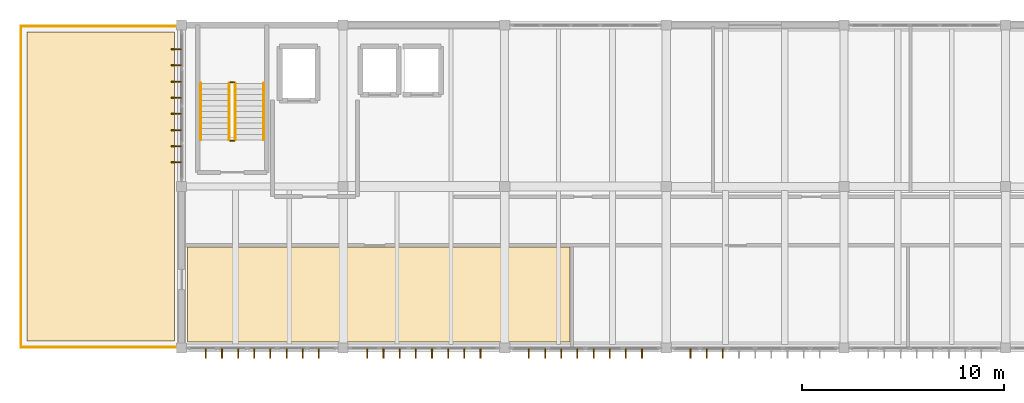
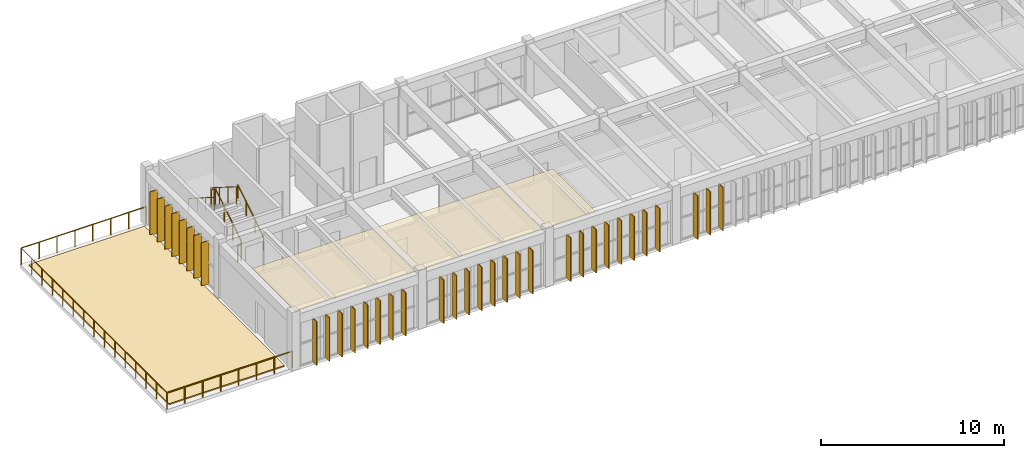
# One storey, part 11 of 12: 35 shading devices, 9 railings, 2 coverings.
"""IFC4 building model written with IfcOpenShell, lengths in metres."""

from ifc_helpers import new_model, si_unit, direction, frame, origin, origin_2d, place, context, subcontext, project, spatial, polyline, rectangle, circle, outline, extrude, material, layer, layer_set, type_object, element, save


model = new_model("IFC4")

# Units and contexts
model_context = context("Model", 3, precision=1e-05, world=origin(), true_north=direction((0.0, 1.0)))
body_context = subcontext(model_context, "Body", "Model", "MODEL_VIEW")
ifc_project = project(units=[si_unit("LENGTHUNIT", "METRE"), si_unit("AREAUNIT", "SQUARE_METRE"), si_unit("VOLUMEUNIT", "CUBIC_METRE"), si_unit("PLANEANGLEUNIT", "RADIAN"), si_unit("MASSUNIT", "GRAM", prefix="KILO")], contexts=[model_context])

# Site, building, storey
site_placement = place(None, origin())
site = spatial("IfcSite", under=ifc_project, at=site_placement, CompositionType="ELEMENT")
building_placement = place(site_placement, origin())
building = spatial("IfcBuilding", under=site, at=building_placement, Name="Tlaxcora Railside Police Headquarters", CompositionType="ELEMENT")
storey_placement = place(building_placement, frame((0.0, 0.0, 29.699951171875)))
storey = spatial("IfcBuildingStorey", under=building, at=storey_placement, Name="L07", CompositionType="ELEMENT", Elevation=29.699951171875)

# Coverings
ifc_material_1 = material(Name="Mineral-fibre acoustic ceiling tile")
ifc_layer_1 = layer(ifc_material_1, 0.034912109375, Name="Mineral-fibre acoustic ceiling tile")
ifc_layer_set_1 = layer_set([ifc_layer_1], Name="Mineral-fibre acoustic ceiling tile")
covering_type_1 = type_object("IfcCoveringType", Name="Acoustic Suspended Ceiling CLG-01", PredefinedType="CEILING", material=ifc_layer_set_1)
covering_1_placement = place(storey_placement, frame((0.0, 0.0, 3.465087890625)))
element("IfcCovering", 1, at=covering_1_placement, inside=storey, type_object=covering_type_1, Name="Chief Commissioner and Executive Directorate suspended ceiling", PredefinedType="CEILING", context=body_context, shape_type="SweptSolid", body=[
    extrude(outline(polyline([(21.5, 81.800048828125), (21.5, 77.10009765625), (40.44189453125, 77.10009765625), (40.44189453125, 81.800048828125), (21.5, 81.800048828125)])), origin(), (0.0, 0.0, 1.0), 0.034912109375),
])
ifc_material_2 = material(Name="Modified EPDM waterproofing and volcanic-ash protection membrane")
ifc_layer_2 = layer(ifc_material_2, 0.080078125, Name="Modified EPDM waterproofing and volcanic-ash protection membrane")
ifc_layer_set_2 = layer_set([ifc_layer_2], Name="Modified EPDM waterproofing and volcanic-ash protection membrane")
covering_type_2 = type_object("IfcCoveringType", Name="Planted Roof Garden Waterproofing RF-01", PredefinedType="ROOFING", material=ifc_layer_set_2)
covering_2_placement = place(storey_placement, origin())
element("IfcCovering", 2, at=covering_2_placement, inside=storey, type_object=covering_type_2, Name="TERR-V5-L07-W planted waterproofing layer", PredefinedType="ROOFING", context=body_context, shape_type="SweptSolid", body=[
    extrude(outline(polyline([(20.85009765625, 77.14990234375), (20.85009765625, 92.449951171875), (13.550048828125, 92.449951171875), (13.550048828125, 77.14990234375), (20.85009765625, 77.14990234375)])), origin(), (0.0, 0.0, 1.0), 0.080078125),
])

# Shading devices
ifc_material_3 = material(Name="Anodised aluminium framing", Category="aluminium")
ifc_layer_3 = layer(ifc_material_3, 0.054931640625, Name="Anodised aluminium framing")
ifc_layer_set_3 = layer_set([ifc_layer_3], Name="Anodised aluminium framing")
shading_device_type = type_object("IfcShadingDeviceType", Name="Solar Control Fin SF-01", PredefinedType="JALOUSIE", material=ifc_layer_set_3)
for number, where, z_axis, x_axis, name in (
    (3, (22.39990234375, 76.5400390625, 0.0400390625), (0.0, 0.0, 1.0), (0.0, -1.0, 0.0), "Vertical solar fin 695"),
    (4, (23.199951171875, 76.5400390625, 0.0400390625), (0.0, 0.0, 1.0), (0.0, -1.0, 0.0), "Vertical solar fin 696"),
    (5, (24.0, 76.5400390625, 0.0400390625), (0.0, 0.0, 1.0), (0.0, -1.0, 0.0), "Vertical solar fin 697"),
    (6, (24.800048828125, 76.5400390625, 0.0400390625), (0.0, 0.0, 1.0), (0.0, -1.0, 0.0), "Vertical solar fin 698"),
    (7, (25.60009765625, 76.5400390625, 0.0400390625), (0.0, 0.0, 1.0), (0.0, -1.0, 0.0), "Vertical solar fin 699"),
    (8, (26.39990234375, 76.5400390625, 0.0400390625), (0.0, 0.0, 1.0), (0.0, -1.0, 0.0), "Vertical solar fin 700"),
    (9, (27.199951171875, 76.5400390625, 0.0400390625), (0.0, 0.0, 1.0), (0.0, -1.0, 0.0), "Vertical solar fin 701"),
    (10, (28.0, 76.5400390625, 0.0400390625), (0.0, 0.0, 1.0), (0.0, -1.0, 0.0), "Vertical solar fin 702"),
    (11, (30.39990234375, 76.5400390625, 0.0400390625), (0.0, 0.0, 1.0), (0.0, -1.0, 0.0), "Vertical solar fin 703"),
    (12, (31.199951171875, 76.5400390625, 0.0400390625), (0.0, 0.0, 1.0), (0.0, -1.0, 0.0), "Vertical solar fin 704"),
    (13, (32.0, 76.5400390625, 0.0400390625), (0.0, 0.0, 1.0), (0.0, -1.0, 0.0), "Vertical solar fin 705"),
    (14, (32.800048828125, 76.5400390625, 0.0400390625), (0.0, 0.0, 1.0), (0.0, -1.0, 0.0), "Vertical solar fin 706"),
    (15, (33.60009765625, 76.5400390625, 0.0400390625), (0.0, 0.0, 1.0), (0.0, -1.0, 0.0), "Vertical solar fin 707"),
    (16, (34.39990234375, 76.5400390625, 0.0400390625), (0.0, 0.0, 1.0), (0.0, -1.0, 0.0), "Vertical solar fin 708"),
    (17, (35.199951171875, 76.5400390625, 0.0400390625), (0.0, 0.0, 1.0), (0.0, -1.0, 0.0), "Vertical solar fin 709"),
    (18, (36.0, 76.5400390625, 0.0400390625), (0.0, 0.0, 1.0), (0.0, -1.0, 0.0), "Vertical solar fin 710"),
    (19, (38.39990234375, 76.5400390625, 0.0400390625), (0.0, 0.0, 1.0), (0.0, -1.0, 0.0), "Vertical solar fin 711"),
    (20, (39.199951171875, 76.5400390625, 0.0400390625), (0.0, 0.0, 1.0), (0.0, -1.0, 0.0), "Vertical solar fin 712"),
    (21, (40.0, 76.5400390625, 0.0400390625), (0.0, 0.0, 1.0), (0.0, -1.0, 0.0), "Vertical solar fin 713"),
    (22, (40.800048828125, 76.5400390625, 0.0400390625), (0.0, 0.0, 1.0), (0.0, -1.0, 0.0), "Vertical solar fin 714"),
    (23, (41.60009765625, 76.5400390625, 0.0400390625), (0.0, 0.0, 1.0), (0.0, -1.0, 0.0), "Vertical solar fin 715"),
    (24, (42.39990234375, 76.5400390625, 0.0400390625), (0.0, 0.0, 1.0), (0.0, -1.0, 0.0), "Vertical solar fin 716"),
    (25, (43.199951171875, 76.5400390625, 0.0400390625), (0.0, 0.0, 1.0), (0.0, -1.0, 0.0), "Vertical solar fin 717"),
    (26, (44.0, 76.5400390625, 0.0400390625), (0.0, 0.0, 1.0), (0.0, -1.0, 0.0), "Vertical solar fin 718"),
    (27, (46.39990234375, 76.5400390625, 0.0400390625), (0.0, 0.0, 1.0), (0.0, -1.0, 0.0), "Vertical solar fin 719"),
    (28, (47.199951171875, 76.5400390625, 0.0400390625), (0.0, 0.0, 1.0), (0.0, -1.0, 0.0), "Vertical solar fin 720"),
    (29, (48.0, 76.5400390625, 0.0400390625), (0.0, 0.0, 1.0), (0.0, -1.0, 0.0), "Vertical solar fin 721"),
    (30, (20.93994140625, 91.60009765625, 0.0400390625), (0.0, 0.0, 1.0), (-1.0, 0.0, 0.0), "Vertical solar fin 760"),
    (31, (20.93994140625, 90.800048828125, 0.0400390625), (0.0, 0.0, 1.0), (-1.0, 0.0, 0.0), "Vertical solar fin 761"),
    (32, (20.93994140625, 90.0, 0.0400390625), (0.0, 0.0, 1.0), (-1.0, 0.0, 0.0), "Vertical solar fin 762"),
    (33, (20.93994140625, 89.199951171875, 0.0400390625), (0.0, 0.0, 1.0), (-1.0, 0.0, 0.0), "Vertical solar fin 763"),
    (34, (20.93994140625, 88.39990234375, 0.0400390625), (0.0, 0.0, 1.0), (-1.0, 0.0, 0.0), "Vertical solar fin 764"),
    (35, (20.93994140625, 87.60009765625, 0.0400390625), (0.0, 0.0, 1.0), (-1.0, 0.0, 0.0), "Vertical solar fin 765"),
    (36, (20.93994140625, 86.800048828125, 0.0400390625), (0.0, 0.0, 1.0), (-1.0, 0.0, 0.0), "Vertical solar fin 766"),
    (37, (20.93994140625, 86.0, 0.0400390625), (0.0, 0.0, 1.0), (-1.0, 0.0, 0.0), "Vertical solar fin 767"),
):
    element("IfcShadingDevice", number, at=place(storey_placement, frame(where, z_axis=z_axis, x_axis=x_axis)), inside=storey, type_object=shading_device_type, Name=name, PredefinedType="JALOUSIE", context=body_context, shape_type="SweptSolid", body=[
        extrude(rectangle(XDim=0.47998046875, YDim=0.054931640625, at=origin_2d()), origin(), (0.0, 0.0, 1.0), 2.89990234375),
    ])

# Railings
ifc_material_4 = material(Name="Steel ASTM A992 Grade 50", Category="steel")
railing_type_1 = type_object("IfcRailingType", Name="Stair Well Guard Balustrade GR-02", PredefinedType="BALUSTRADE", material=ifc_material_4)
railing_1_placement = place(storey_placement, frame((23.860107421875, 87.110107421875, 0.17724609375)))
element("IfcRailing", 38, at=railing_1_placement, inside=storey, type_object=railing_type_1, Name="L07 ST1 stair guard 1", PredefinedType="BALUSTRADE", context=body_context, shape_type="SweptSolid", body=[
    extrude(circle(Radius=0.02392578125, at=origin_2d()), frame((0.0, 0.0, 1.09619140625), z_axis=(0.0, 0.844887892834, 0.53494340686), x_axis=(-1.0, 0.0, 0.0)), (0.0, 0.0, 1.0), 3.313720703125),
    extrude(circle(Radius=0.02099609375, at=origin_2d()), origin(), (0.0, 0.0, 1.0), 1.072021484375),
    extrude(circle(Radius=0.02099609375, at=origin_2d()), frame((0.0, 0.933349609375, 0.5908203125)), (0.0, 0.0, 1.0), 1.072021484375),
    extrude(circle(Radius=0.02099609375, at=origin_2d()), frame((0.0, 1.866455078125, 1.181884765625)), (0.0, 0.0, 1.0), 1.072021484375),
    extrude(circle(Radius=0.02099609375, at=origin_2d()), frame((0.0, 2.7998046875, 1.772705078125)), (0.0, 0.0, 1.0), 1.072021484375),
])
railing_2_placement = place(storey_placement, frame((23.81005859375, 89.9599609375, 1.949951171875)))
element("IfcRailing", 39, at=railing_2_placement, inside=storey, type_object=railing_type_1, Name="L07 ST1 stair guard 2", PredefinedType="BALUSTRADE", context=body_context, shape_type="SweptSolid", body=[
    extrude(circle(Radius=0.02392578125, at=origin_2d()), frame((0.0, 0.0, 1.09619140625), z_axis=(-1.0, 0.0, 0.0), x_axis=(0.0, -1.0, 0.0)), (0.0, 0.0, 1.0), 0.199951171875),
    extrude(circle(Radius=0.02099609375, at=origin_2d()), origin(), (0.0, 0.0, 1.0), 1.072021484375),
    extrude(circle(Radius=0.02099609375, at=origin_2d()), frame((-0.199951171875, 0.0, 0.0)), (0.0, 0.0, 1.0), 1.072021484375),
])
railing_3_placement = place(storey_placement, frame((23.56005859375, 89.909912109375, 2.12744140625)))
element("IfcRailing", 40, at=railing_3_placement, inside=storey, type_object=railing_type_1, Name="L07 ST1 stair guard 3", PredefinedType="BALUSTRADE", context=body_context, shape_type="SweptSolid", body=[
    extrude(circle(Radius=0.02392578125, at=origin_2d()), frame((0.0, 0.0, 1.09619140625), z_axis=(0.0, -0.844887892834, 0.53494340686), x_axis=(1.0, 0.0, 0.0)), (0.0, 0.0, 1.0), 3.313720703125),
    extrude(circle(Radius=0.02099609375, at=origin_2d()), origin(), (0.0, 0.0, 1.0), 1.072021484375),
    extrude(circle(Radius=0.02099609375, at=origin_2d()), frame((0.0, -0.933349609375, 0.5908203125)), (0.0, 0.0, 1.0), 1.072021484375),
    extrude(circle(Radius=0.02099609375, at=origin_2d()), frame((0.0, -1.866455078125, 1.181884765625)), (0.0, 0.0, 1.0), 1.072021484375),
    extrude(circle(Radius=0.02099609375, at=origin_2d()), frame((0.0, -2.7998046875, 1.772705078125)), (0.0, 0.0, 1.0), 1.072021484375),
])
railing_4_placement = place(storey_placement, frame((23.81005859375, 87.06005859375, 0.0)))
element("IfcRailing", 41, at=railing_4_placement, inside=storey, type_object=railing_type_1, Name="L07 ST1 stair guard 4", PredefinedType="BALUSTRADE", context=body_context, shape_type="SweptSolid", body=[
    extrude(circle(Radius=0.02392578125, at=origin_2d()), frame((0.0, 0.0, 1.09619140625), z_axis=(-1.0, 0.0, 0.0), x_axis=(0.0, -1.0, 0.0)), (0.0, 0.0, 1.0), 0.199951171875),
    extrude(circle(Radius=0.02099609375, at=origin_2d()), origin(), (0.0, 0.0, 1.0), 1.072021484375),
    extrude(circle(Radius=0.02099609375, at=origin_2d()), frame((-0.199951171875, 0.0, 0.0)), (0.0, 0.0, 1.0), 1.072021484375),
])
railing_type_2 = type_object("IfcRailingType", Name="Stair and Ramp Handrail HR-01", PredefinedType="HANDRAIL", material=ifc_material_4)
railing_5_placement = place(storey_placement, frame((25.260009765625, 87.110107421875, 0.17724609375)))
element("IfcRailing", 42, at=railing_5_placement, inside=storey, type_object=railing_type_2, Name="L07 ST1 stair handrail 1", PredefinedType="HANDRAIL", context=body_context, shape_type="SweptSolid", body=[
    extrude(circle(Radius=0.02392578125, at=origin_2d()), frame((0.0, 0.0, 0.8759765625), z_axis=(0.0, 0.844887892834, 0.53494340686), x_axis=(-1.0, 0.0, 0.0)), (0.0, 0.0, 1.0), 3.313720703125),
    extrude(circle(Radius=0.02099609375, at=origin_2d()), origin(), (0.0, 0.0, 1.0), 0.851806640625),
    extrude(circle(Radius=0.02099609375, at=origin_2d()), frame((0.0, 0.933349609375, 0.5908203125)), (0.0, 0.0, 1.0), 0.851806640625),
    extrude(circle(Radius=0.02099609375, at=origin_2d()), frame((0.0, 1.866455078125, 1.181884765625)), (0.0, 0.0, 1.0), 0.851806640625),
    extrude(circle(Radius=0.02099609375, at=origin_2d()), frame((0.0, 2.7998046875, 1.772705078125)), (0.0, 0.0, 1.0), 0.851806640625),
])
railing_6_placement = place(storey_placement, frame((22.159912109375, 89.909912109375, 2.12744140625)))
element("IfcRailing", 43, at=railing_6_placement, inside=storey, type_object=railing_type_2, Name="L07 ST1 stair handrail 2", PredefinedType="HANDRAIL", context=body_context, shape_type="SweptSolid", body=[
    extrude(circle(Radius=0.02392578125, at=origin_2d()), frame((0.0, 0.0, 0.8759765625), z_axis=(0.0, -0.844887892834, 0.53494340686), x_axis=(1.0, 0.0, 0.0)), (0.0, 0.0, 1.0), 3.313720703125),
    extrude(circle(Radius=0.02099609375, at=origin_2d()), origin(), (0.0, 0.0, 1.0), 0.851806640625),
    extrude(circle(Radius=0.02099609375, at=origin_2d()), frame((0.0, -0.933349609375, 0.5908203125)), (0.0, 0.0, 1.0), 0.851806640625),
    extrude(circle(Radius=0.02099609375, at=origin_2d()), frame((0.0, -1.866455078125, 1.181884765625)), (0.0, 0.0, 1.0), 0.851806640625),
    extrude(circle(Radius=0.02099609375, at=origin_2d()), frame((0.0, -2.7998046875, 1.772705078125)), (0.0, 0.0, 1.0), 0.851806640625),
])
railing_type_3 = type_object("IfcRailingType", Name="Terrace Perimeter Guard Balustrade GR-01", PredefinedType="BALUSTRADE", material=ifc_material_4)
railing_7_placement = place(storey_placement, frame((21.14990234375, 76.85009765625, 0.0)))
element("IfcRailing", 44, at=railing_7_placement, inside=storey, type_object=railing_type_3, Name="TERR-V5-L07-W perimeter guard 1", PredefinedType="BALUSTRADE", context=body_context, shape_type="SweptSolid", body=[
    extrude(circle(Radius=0.02392578125, at=origin_2d()), frame((0.0, 0.0, 1.09619140625), z_axis=(-1.0, 0.0, 0.0), x_axis=(0.0, -1.0, 0.0)), (0.0, 0.0, 1.0), 7.89990234375),
    extrude(circle(Radius=0.02099609375, at=origin_2d()), origin(), (0.0, 0.0, 1.0), 1.072021484375),
    extrude(circle(Radius=0.02099609375, at=origin_2d()), frame((-1.128662109375, 0.0, 0.0)), (0.0, 0.0, 1.0), 1.072021484375),
    extrude(circle(Radius=0.02099609375, at=origin_2d()), frame((-2.257080078125, 0.0, 0.0)), (0.0, 0.0, 1.0), 1.072021484375),
    extrude(circle(Radius=0.02099609375, at=origin_2d()), frame((-3.3857421875, 0.0, 0.0)), (0.0, 0.0, 1.0), 1.072021484375),
    extrude(circle(Radius=0.02099609375, at=origin_2d()), frame((-4.51416015625, 0.0, 0.0)), (0.0, 0.0, 1.0), 1.072021484375),
    extrude(circle(Radius=0.02099609375, at=origin_2d()), frame((-5.642822265625, 0.0, 0.0)), (0.0, 0.0, 1.0), 1.072021484375),
    extrude(circle(Radius=0.02099609375, at=origin_2d()), frame((-6.771240234375, 0.0, 0.0)), (0.0, 0.0, 1.0), 1.072021484375),
    extrude(circle(Radius=0.02099609375, at=origin_2d()), frame((-7.89990234375, 0.0, 0.0)), (0.0, 0.0, 1.0), 1.072021484375),
])
railing_8_placement = place(storey_placement, frame((13.25, 76.85009765625, 0.0)))
element("IfcRailing", 45, at=railing_8_placement, inside=storey, type_object=railing_type_3, Name="TERR-V5-L07-W perimeter guard 2", PredefinedType="BALUSTRADE", context=body_context, shape_type="SweptSolid", body=[
    extrude(circle(Radius=0.02392578125, at=origin_2d()), frame((0.0, 0.0, 1.09619140625), z_axis=(0.0, 1.0, 0.0), x_axis=(-1.0, 0.0, 0.0)), (0.0, 0.0, 1.0), 15.89990234375),
    extrude(circle(Radius=0.02099609375, at=origin_2d()), origin(), (0.0, 0.0, 1.0), 1.072021484375),
    extrude(circle(Radius=0.02099609375, at=origin_2d()), frame((0.0, 1.1357421875, 0.0)), (0.0, 0.0, 1.0), 1.072021484375),
    extrude(circle(Radius=0.02099609375, at=origin_2d()), frame((0.0, 2.271484375, 0.0)), (0.0, 0.0, 1.0), 1.072021484375),
    extrude(circle(Radius=0.02099609375, at=origin_2d()), frame((0.0, 3.4072265625, 0.0)), (0.0, 0.0, 1.0), 1.072021484375),
    extrude(circle(Radius=0.02099609375, at=origin_2d()), frame((0.0, 4.542724609375, 0.0)), (0.0, 0.0, 1.0), 1.072021484375),
    extrude(circle(Radius=0.02099609375, at=origin_2d()), frame((0.0, 5.678466796875, 0.0)), (0.0, 0.0, 1.0), 1.072021484375),
    extrude(circle(Radius=0.02099609375, at=origin_2d()), frame((0.0, 6.814208984375, 0.0)), (0.0, 0.0, 1.0), 1.072021484375),
    extrude(circle(Radius=0.02099609375, at=origin_2d()), frame((0.0, 7.949951171875, 0.0)), (0.0, 0.0, 1.0), 1.072021484375),
    extrude(circle(Radius=0.02099609375, at=origin_2d()), frame((0.0, 9.085693359375, 0.0)), (0.0, 0.0, 1.0), 1.072021484375),
    extrude(circle(Radius=0.02099609375, at=origin_2d()), frame((0.0, 10.221435546875, 0.0)), (0.0, 0.0, 1.0), 1.072021484375),
    extrude(circle(Radius=0.02099609375, at=origin_2d()), frame((0.0, 11.357177734375, 0.0)), (0.0, 0.0, 1.0), 1.072021484375),
    extrude(circle(Radius=0.02099609375, at=origin_2d()), frame((0.0, 12.49267578125, 0.0)), (0.0, 0.0, 1.0), 1.072021484375),
    extrude(circle(Radius=0.02099609375, at=origin_2d()), frame((0.0, 13.62841796875, 0.0)), (0.0, 0.0, 1.0), 1.072021484375),
    extrude(circle(Radius=0.02099609375, at=origin_2d()), frame((0.0, 14.76416015625, 0.0)), (0.0, 0.0, 1.0), 1.072021484375),
    extrude(circle(Radius=0.02099609375, at=origin_2d()), frame((0.0, 15.89990234375, 0.0)), (0.0, 0.0, 1.0), 1.072021484375),
])
railing_9_placement = place(storey_placement, frame((13.25, 92.75, 0.0)))
element("IfcRailing", 46, at=railing_9_placement, inside=storey, type_object=railing_type_3, Name="TERR-V5-L07-W perimeter guard 3", PredefinedType="BALUSTRADE", context=body_context, shape_type="SweptSolid", body=[
    extrude(circle(Radius=0.02392578125, at=origin_2d()), frame((0.0, 0.0, 1.09619140625), z_axis=(1.0, 0.0, 0.0), x_axis=(0.0, 1.0, 0.0)), (0.0, 0.0, 1.0), 7.89990234375),
    extrude(circle(Radius=0.02099609375, at=origin_2d()), origin(), (0.0, 0.0, 1.0), 1.072021484375),
    extrude(circle(Radius=0.02099609375, at=origin_2d()), frame((1.128662109375, 0.0, 0.0)), (0.0, 0.0, 1.0), 1.072021484375),
    extrude(circle(Radius=0.02099609375, at=origin_2d()), frame((2.257080078125, 0.0, 0.0)), (0.0, 0.0, 1.0), 1.072021484375),
    extrude(circle(Radius=0.02099609375, at=origin_2d()), frame((3.3857421875, 0.0, 0.0)), (0.0, 0.0, 1.0), 1.072021484375),
    extrude(circle(Radius=0.02099609375, at=origin_2d()), frame((4.51416015625, 0.0, 0.0)), (0.0, 0.0, 1.0), 1.072021484375),
    extrude(circle(Radius=0.02099609375, at=origin_2d()), frame((5.642822265625, 0.0, 0.0)), (0.0, 0.0, 1.0), 1.072021484375),
    extrude(circle(Radius=0.02099609375, at=origin_2d()), frame((6.771240234375, 0.0, 0.0)), (0.0, 0.0, 1.0), 1.072021484375),
    extrude(circle(Radius=0.02099609375, at=origin_2d()), frame((7.89990234375, 0.0, 0.0)), (0.0, 0.0, 1.0), 1.072021484375),
])

save(model, "model.ifc")
